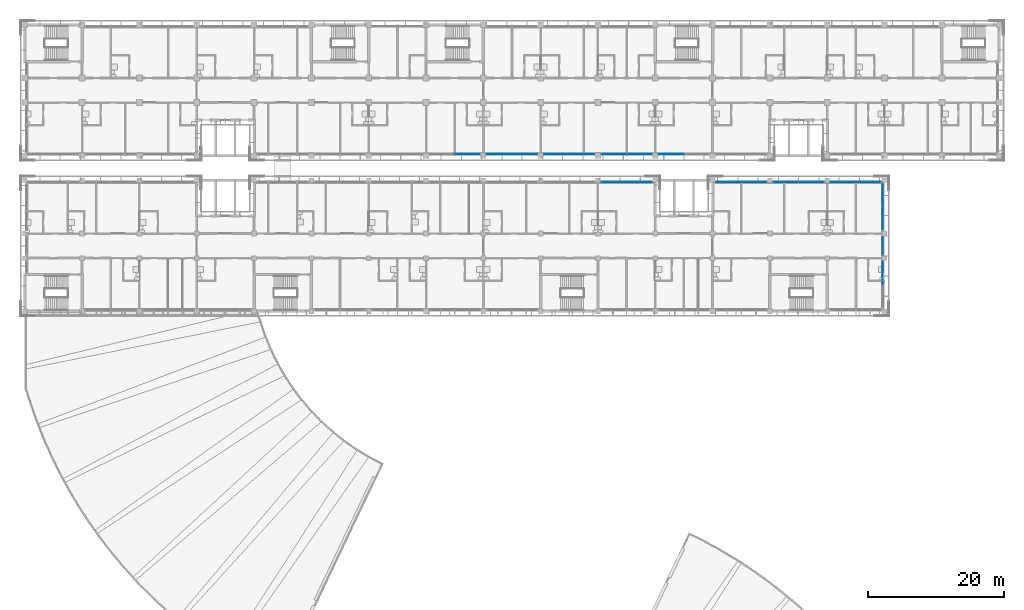
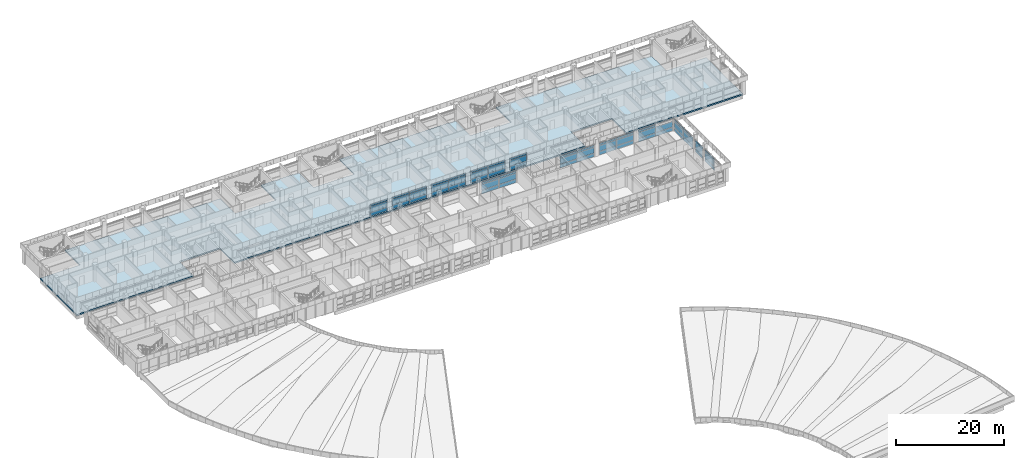
# One storey, part 24 of 74: 59 plates, 1 slab, 12 elements without a shape of their own.
"""IFC4 building model written with IfcOpenShell, lengths in metres."""

from ifc_helpers import new_model, si_unit, direction, frame, origin, origin_2d, place, context, subcontext, project, spatial, polyline, rectangle, outline, extrude, material, layer, layer_set, type_object, element, aggregate, save


model = new_model("IFC4")

# Units and contexts
model_context = context("Model", 3, precision=1e-05, world=origin(), true_north=direction((0.0, 1.0)))
body_context = subcontext(model_context, "Body", "Model", "MODEL_VIEW")
ifc_project = project(units=[si_unit("LENGTHUNIT", "METRE"), si_unit("AREAUNIT", "SQUARE_METRE"), si_unit("VOLUMEUNIT", "CUBIC_METRE"), si_unit("PLANEANGLEUNIT", "RADIAN"), si_unit("MASSUNIT", "GRAM", prefix="KILO")], contexts=[model_context])

# Site, building, storey
site_placement = place(None, origin())
site = spatial("IfcSite", under=ifc_project, at=site_placement, CompositionType="ELEMENT")
building_placement = place(site_placement, origin())
building = spatial("IfcBuilding", under=site, at=building_placement, Name="Bougainvillea Quay General Hospital", CompositionType="ELEMENT")
storey_placement = place(building_placement, frame((0.0, 0.0, 21.0)))
storey = spatial("IfcBuildingStorey", under=building, at=storey_placement, Name="L04", CompositionType="ELEMENT", Elevation=21.0)

# Curtain wall, plates
ifc_material_1 = material(Name="Aluminium curtain wall system, powder-coated glazed", Category="aluminium")
curtain_wall_type_1 = type_object("IfcCurtainWallType", Name="Unitised curtain wall CW-3730", PredefinedType="NOTDEFINED", material=ifc_material_1)
curtain_wall_1_placement = place(storey_placement, origin())
curtain_wall_1 = element("IfcCurtainWall", 1, at=curtain_wall_1_placement, inside=storey, type_object=curtain_wall_type_1, Name="CW-4200 03", PredefinedType="NOTDEFINED")
ifc_material_2 = material(Name="Insulated aluminium spandrel panel, white", Category="aluminium")
ifc_layer_1 = layer(ifc_material_2, 0.028076171875)
ifc_layer_set_1 = layer_set([ifc_layer_1], Name="Insulated aluminium spandrel panel, white")
plate_type_1 = type_object("IfcPlateType", Name="Insulated spandrel panel white 28", PredefinedType="CURTAIN_PANEL", material=ifc_layer_set_1)
plate_1_placement = place(storey_placement, frame((106.85009765625, 140.64990234375, 0.06005859375), z_axis=(0.0, 0.0, 1.0), x_axis=(1.0, 0.0, 0.0)))
plate_1 = element("IfcPlate", 2, at=plate_1_placement, type_object=plate_type_1, Name="CW-4200 spandrel panel 2.1", PredefinedType="CURTAIN_PANEL", context=body_context, shape_type="SweptSolid", body=[
    extrude(rectangle(XDim=3.639892578125, YDim=0.028076171875, at=origin_2d()), origin(), (0.0, 0.0, 1.0), 0.81005859375),
])
plate_2_placement = place(storey_placement, frame((106.85009765625, 140.64990234375, 2.2802734375), z_axis=(0.0, 0.0, 1.0), x_axis=(1.0, 0.0, 0.0)))
plate_2 = element("IfcPlate", 3, at=plate_2_placement, type_object=plate_type_1, Name="CW-4200 spandrel panel 2.3", PredefinedType="CURTAIN_PANEL", context=body_context, shape_type="SweptSolid", body=[
    extrude(rectangle(XDim=3.639892578125, YDim=0.028076171875, at=origin_2d()), origin(), (0.0, 0.0, 1.0), 0.409912109375),
])

curtain_wall_2_placement = place(storey_placement, origin())
curtain_wall_2 = element("IfcCurtainWall", 4, at=curtain_wall_2_placement, inside=storey, type_object=curtain_wall_type_1, Name="CW-4200 04", PredefinedType="NOTDEFINED")
plate_3_placement = place(storey_placement, frame((111.550048828125, 140.64990234375, 0.06005859375), z_axis=(0.0, 0.0, 1.0), x_axis=(1.0, 0.0, 0.0)))
plate_3 = element("IfcPlate", 5, at=plate_3_placement, type_object=plate_type_1, Name="CW-4200 spandrel panel 1.1", PredefinedType="CURTAIN_PANEL", context=body_context, shape_type="SweptSolid", body=[
    extrude(rectangle(XDim=3.639892578125, YDim=0.028076171875, at=origin_2d()), origin(), (0.0, 0.0, 1.0), 0.81005859375),
])
plate_4_placement = place(storey_placement, frame((111.550048828125, 140.64990234375, 2.2802734375), z_axis=(0.0, 0.0, 1.0), x_axis=(1.0, 0.0, 0.0)))
plate_4 = element("IfcPlate", 6, at=plate_4_placement, type_object=plate_type_1, Name="CW-4200 spandrel panel 1.3", PredefinedType="CURTAIN_PANEL", context=body_context, shape_type="SweptSolid", body=[
    extrude(rectangle(XDim=3.639892578125, YDim=0.028076171875, at=origin_2d()), origin(), (0.0, 0.0, 1.0), 0.409912109375),
])
plate_5_placement = place(storey_placement, frame((115.25, 140.64990234375, 0.06005859375), z_axis=(0.0, 0.0, 1.0), x_axis=(1.0, 0.0, 0.0)))
plate_5 = element("IfcPlate", 7, at=plate_5_placement, type_object=plate_type_1, Name="CW-4200 spandrel panel 2.1", PredefinedType="CURTAIN_PANEL", context=body_context, shape_type="SweptSolid", body=[
    extrude(rectangle(XDim=3.639892578125, YDim=0.028076171875, at=origin_2d()), origin(), (0.0, 0.0, 1.0), 0.81005859375),
])
plate_6_placement = place(storey_placement, frame((115.25, 140.64990234375, 2.2802734375), z_axis=(0.0, 0.0, 1.0), x_axis=(1.0, 0.0, 0.0)))
plate_6 = element("IfcPlate", 8, at=plate_6_placement, type_object=plate_type_1, Name="CW-4200 spandrel panel 2.3", PredefinedType="CURTAIN_PANEL", context=body_context, shape_type="SweptSolid", body=[
    extrude(rectangle(XDim=3.639892578125, YDim=0.028076171875, at=origin_2d()), origin(), (0.0, 0.0, 1.0), 0.409912109375),
])

curtain_wall_3_placement = place(storey_placement, origin())
curtain_wall_3 = element("IfcCurtainWall", 9, at=curtain_wall_3_placement, inside=storey, type_object=curtain_wall_type_1, Name="CW-4200 05", PredefinedType="NOTDEFINED")
plate_7_placement = place(storey_placement, frame((119.949951171875, 140.64990234375, 0.06005859375), z_axis=(0.0, 0.0, 1.0), x_axis=(1.0, 0.0, 0.0)))
plate_7 = element("IfcPlate", 10, at=plate_7_placement, type_object=plate_type_1, Name="CW-4200 spandrel panel 1.1", PredefinedType="CURTAIN_PANEL", context=body_context, shape_type="SweptSolid", body=[
    extrude(rectangle(XDim=3.639892578125, YDim=0.028076171875, at=origin_2d()), origin(), (0.0, 0.0, 1.0), 0.81005859375),
])
plate_8_placement = place(storey_placement, frame((119.949951171875, 140.64990234375, 2.2802734375), z_axis=(0.0, 0.0, 1.0), x_axis=(1.0, 0.0, 0.0)))
plate_8 = element("IfcPlate", 11, at=plate_8_placement, type_object=plate_type_1, Name="CW-4200 spandrel panel 1.3", PredefinedType="CURTAIN_PANEL", context=body_context, shape_type="SweptSolid", body=[
    extrude(rectangle(XDim=3.639892578125, YDim=0.028076171875, at=origin_2d()), origin(), (0.0, 0.0, 1.0), 0.409912109375),
])
plate_9_placement = place(storey_placement, frame((123.64990234375, 140.64990234375, 0.06005859375), z_axis=(0.0, 0.0, 1.0), x_axis=(1.0, 0.0, 0.0)))
plate_9 = element("IfcPlate", 12, at=plate_9_placement, type_object=plate_type_1, Name="CW-4200 spandrel panel 2.1", PredefinedType="CURTAIN_PANEL", context=body_context, shape_type="SweptSolid", body=[
    extrude(rectangle(XDim=3.639892578125, YDim=0.028076171875, at=origin_2d()), origin(), (0.0, 0.0, 1.0), 0.81005859375),
])
plate_10_placement = place(storey_placement, frame((123.64990234375, 140.64990234375, 2.2802734375), z_axis=(0.0, 0.0, 1.0), x_axis=(1.0, 0.0, 0.0)))
plate_10 = element("IfcPlate", 13, at=plate_10_placement, type_object=plate_type_1, Name="CW-4200 spandrel panel 2.3", PredefinedType="CURTAIN_PANEL", context=body_context, shape_type="SweptSolid", body=[
    extrude(rectangle(XDim=3.639892578125, YDim=0.028076171875, at=origin_2d()), origin(), (0.0, 0.0, 1.0), 0.409912109375),
])

curtain_wall_4_placement = place(storey_placement, origin())
curtain_wall_4 = element("IfcCurtainWall", 14, at=curtain_wall_4_placement, inside=storey, type_object=curtain_wall_type_1, Name="CW-4200 06", PredefinedType="NOTDEFINED")
plate_11_placement = place(storey_placement, frame((128.35009765625, 140.64990234375, 0.06005859375), z_axis=(0.0, 0.0, 1.0), x_axis=(1.0, 0.0, 0.0)))
plate_11 = element("IfcPlate", 15, at=plate_11_placement, type_object=plate_type_1, Name="CW-4200 spandrel panel 1.1", PredefinedType="CURTAIN_PANEL", context=body_context, shape_type="SweptSolid", body=[
    extrude(rectangle(XDim=3.639892578125, YDim=0.028076171875, at=origin_2d()), origin(), (0.0, 0.0, 1.0), 0.81005859375),
])
plate_12_placement = place(storey_placement, frame((128.35009765625, 140.64990234375, 2.2802734375), z_axis=(0.0, 0.0, 1.0), x_axis=(1.0, 0.0, 0.0)))
plate_12 = element("IfcPlate", 16, at=plate_12_placement, type_object=plate_type_1, Name="CW-4200 spandrel panel 1.3", PredefinedType="CURTAIN_PANEL", context=body_context, shape_type="SweptSolid", body=[
    extrude(rectangle(XDim=3.639892578125, YDim=0.028076171875, at=origin_2d()), origin(), (0.0, 0.0, 1.0), 0.409912109375),
])
plate_13_placement = place(storey_placement, frame((132.050048828125, 140.64990234375, 0.06005859375), z_axis=(0.0, 0.0, 1.0), x_axis=(1.0, 0.0, 0.0)))
plate_13 = element("IfcPlate", 17, at=plate_13_placement, type_object=plate_type_1, Name="CW-4200 spandrel panel 2.1", PredefinedType="CURTAIN_PANEL", context=body_context, shape_type="SweptSolid", body=[
    extrude(rectangle(XDim=3.639892578125, YDim=0.028076171875, at=origin_2d()), origin(), (0.0, 0.0, 1.0), 0.81005859375),
])
plate_14_placement = place(storey_placement, frame((132.050048828125, 140.64990234375, 2.2802734375), z_axis=(0.0, 0.0, 1.0), x_axis=(1.0, 0.0, 0.0)))
plate_14 = element("IfcPlate", 18, at=plate_14_placement, type_object=plate_type_1, Name="CW-4200 spandrel panel 2.3", PredefinedType="CURTAIN_PANEL", context=body_context, shape_type="SweptSolid", body=[
    extrude(rectangle(XDim=3.639892578125, YDim=0.028076171875, at=origin_2d()), origin(), (0.0, 0.0, 1.0), 0.409912109375),
])

curtain_wall_5_placement = place(storey_placement, origin())
curtain_wall_5 = element("IfcCurtainWall", 19, at=curtain_wall_5_placement, inside=storey, type_object=curtain_wall_type_1, Name="CW-4200 07", PredefinedType="NOTDEFINED")
plate_15_placement = place(storey_placement, frame((136.75, 140.64990234375, 0.06005859375), z_axis=(0.0, 0.0, 1.0), x_axis=(1.0, 0.0, 0.0)))
plate_15 = element("IfcPlate", 20, at=plate_15_placement, type_object=plate_type_1, Name="CW-4200 spandrel panel 1.1", PredefinedType="CURTAIN_PANEL", context=body_context, shape_type="SweptSolid", body=[
    extrude(rectangle(XDim=3.639892578125, YDim=0.028076171875, at=origin_2d()), origin(), (0.0, 0.0, 1.0), 0.81005859375),
])
plate_16_placement = place(storey_placement, frame((136.75, 140.64990234375, 2.2802734375), z_axis=(0.0, 0.0, 1.0), x_axis=(1.0, 0.0, 0.0)))
plate_16 = element("IfcPlate", 21, at=plate_16_placement, type_object=plate_type_1, Name="CW-4200 spandrel panel 1.3", PredefinedType="CURTAIN_PANEL", context=body_context, shape_type="SweptSolid", body=[
    extrude(rectangle(XDim=3.639892578125, YDim=0.028076171875, at=origin_2d()), origin(), (0.0, 0.0, 1.0), 0.409912109375),
])

curtain_wall_type_2 = type_object("IfcCurtainWallType", Name="Unitised curtain wall CW-3430", PredefinedType="NOTDEFINED", material=ifc_material_1)
curtain_wall_6_placement = place(storey_placement, origin())
curtain_wall_6 = element("IfcCurtainWall", 22, at=curtain_wall_6_placement, inside=storey, type_object=curtain_wall_type_2, Name="CW-4200 00", PredefinedType="NOTDEFINED")
plate_17_placement = place(storey_placement, frame((167.75, 123.199951171875, 0.06005859375), z_axis=(0.0, 0.0, 1.0), x_axis=(0.0, 1.0, 0.0)))
plate_17 = element("IfcPlate", 23, at=plate_17_placement, type_object=plate_type_1, Name="CW-4200 spandrel panel 2.1", PredefinedType="CURTAIN_PANEL", context=body_context, shape_type="SweptSolid", body=[
    extrude(rectangle(XDim=3.340087890625, YDim=0.028076171875, at=origin_2d()), origin(), (0.0, 0.0, 1.0), 0.81005859375),
])
plate_18_placement = place(storey_placement, frame((167.75, 123.199951171875, 2.2802734375), z_axis=(0.0, 0.0, 1.0), x_axis=(0.0, 1.0, 0.0)))
plate_18 = element("IfcPlate", 24, at=plate_18_placement, type_object=plate_type_1, Name="CW-4200 spandrel panel 2.3", PredefinedType="CURTAIN_PANEL", context=body_context, shape_type="SweptSolid", body=[
    extrude(rectangle(XDim=3.340087890625, YDim=0.028076171875, at=origin_2d()), origin(), (0.0, 0.0, 1.0), 0.409912109375),
])

curtain_wall_type_3 = type_object("IfcCurtainWallType", Name="Unitised curtain wall CW-2660", PredefinedType="NOTDEFINED", material=ifc_material_1)
curtain_wall_7_placement = place(storey_placement, origin())
curtain_wall_7 = element("IfcCurtainWall", 25, at=curtain_wall_7_placement, inside=storey, type_object=curtain_wall_type_3, Name="CW-4200 01", PredefinedType="NOTDEFINED")
plate_19_placement = place(storey_placement, frame((167.75, 127.199951171875, 0.06005859375), z_axis=(0.0, 0.0, 1.0), x_axis=(0.0, 1.0, 0.0)))
plate_19 = element("IfcPlate", 26, at=plate_19_placement, type_object=plate_type_1, Name="CW-4200 spandrel panel 1.1", PredefinedType="CURTAIN_PANEL", context=body_context, shape_type="SweptSolid", body=[
    extrude(rectangle(XDim=2.5400390625, YDim=0.028076171875, at=origin_2d()), origin(), (0.0, 0.0, 1.0), 0.81005859375),
])
plate_20_placement = place(storey_placement, frame((167.75, 127.199951171875, 2.2802734375), z_axis=(0.0, 0.0, 1.0), x_axis=(0.0, 1.0, 0.0)))
plate_20 = element("IfcPlate", 27, at=plate_20_placement, type_object=plate_type_1, Name="CW-4200 spandrel panel 1.3", PredefinedType="CURTAIN_PANEL", context=body_context, shape_type="SweptSolid", body=[
    extrude(rectangle(XDim=2.5400390625, YDim=0.028076171875, at=origin_2d()), origin(), (0.0, 0.0, 1.0), 0.409912109375),
])

curtain_wall_8_placement = place(storey_placement, origin())
curtain_wall_8 = element("IfcCurtainWall", 28, at=curtain_wall_8_placement, inside=storey, type_object=curtain_wall_type_2, Name="CW-4200 02", PredefinedType="NOTDEFINED")
plate_21_placement = place(storey_placement, frame((167.75, 131.199951171875, 0.06005859375), z_axis=(0.0, 0.0, 1.0), x_axis=(0.0, 1.0, 0.0)))
plate_21 = element("IfcPlate", 29, at=plate_21_placement, type_object=plate_type_1, Name="CW-4200 spandrel panel 1.1", PredefinedType="CURTAIN_PANEL", context=body_context, shape_type="SweptSolid", body=[
    extrude(rectangle(XDim=3.340087890625, YDim=0.028076171875, at=origin_2d()), origin(), (0.0, 0.0, 1.0), 0.81005859375),
])
plate_22_placement = place(storey_placement, frame((167.75, 131.199951171875, 2.2802734375), z_axis=(0.0, 0.0, 1.0), x_axis=(0.0, 1.0, 0.0)))
plate_22 = element("IfcPlate", 30, at=plate_22_placement, type_object=plate_type_1, Name="CW-4200 spandrel panel 1.3", PredefinedType="CURTAIN_PANEL", context=body_context, shape_type="SweptSolid", body=[
    extrude(rectangle(XDim=3.340087890625, YDim=0.028076171875, at=origin_2d()), origin(), (0.0, 0.0, 1.0), 0.409912109375),
])
plate_23_placement = place(storey_placement, frame((167.75, 134.60009765625, 0.06005859375), z_axis=(0.0, 0.0, 1.0), x_axis=(0.0, 1.0, 0.0)))
plate_23 = element("IfcPlate", 31, at=plate_23_placement, type_object=plate_type_1, Name="CW-4200 spandrel panel 2.1", PredefinedType="CURTAIN_PANEL", context=body_context, shape_type="SweptSolid", body=[
    extrude(rectangle(XDim=3.340087890625, YDim=0.028076171875, at=origin_2d()), origin(), (0.0, 0.0, 1.0), 0.81005859375),
])
plate_24_placement = place(storey_placement, frame((167.75, 134.60009765625, 2.2802734375), z_axis=(0.0, 0.0, 1.0), x_axis=(0.0, 1.0, 0.0)))
plate_24 = element("IfcPlate", 32, at=plate_24_placement, type_object=plate_type_1, Name="CW-4200 spandrel panel 2.3", PredefinedType="CURTAIN_PANEL", context=body_context, shape_type="SweptSolid", body=[
    extrude(rectangle(XDim=3.340087890625, YDim=0.028076171875, at=origin_2d()), origin(), (0.0, 0.0, 1.0), 0.409912109375),
])

curtain_wall_9_placement = place(storey_placement, origin())
curtain_wall_9 = element("IfcCurtainWall", 33, at=curtain_wall_9_placement, inside=storey, type_object=curtain_wall_type_1, Name="CW-4200 00", PredefinedType="NOTDEFINED")
plate_25_placement = place(storey_placement, frame((165.64990234375, 136.550048828125, 0.06005859375), z_axis=(0.0, 0.0, 1.0), x_axis=(-1.0, 0.0, 0.0)))
plate_25 = element("IfcPlate", 34, at=plate_25_placement, type_object=plate_type_1, Name="CW-4200 spandrel panel 1.1", PredefinedType="CURTAIN_PANEL", context=body_context, shape_type="SweptSolid", body=[
    extrude(rectangle(XDim=3.639892578125, YDim=0.028076171875, at=origin_2d()), origin(), (0.0, 0.0, 1.0), 0.81005859375),
])
plate_26_placement = place(storey_placement, frame((161.949951171875, 136.550048828125, 0.06005859375), z_axis=(0.0, 0.0, 1.0), x_axis=(-1.0, 0.0, 0.0)))
plate_26 = element("IfcPlate", 35, at=plate_26_placement, type_object=plate_type_1, Name="CW-4200 spandrel panel 2.1", PredefinedType="CURTAIN_PANEL", context=body_context, shape_type="SweptSolid", body=[
    extrude(rectangle(XDim=3.639892578125, YDim=0.028076171875, at=origin_2d()), origin(), (0.0, 0.0, 1.0), 0.81005859375),
])
plate_27_placement = place(storey_placement, frame((161.949951171875, 136.550048828125, 2.2802734375), z_axis=(0.0, 0.0, 1.0), x_axis=(-1.0, 0.0, 0.0)))
plate_27 = element("IfcPlate", 36, at=plate_27_placement, type_object=plate_type_1, Name="CW-4200 spandrel panel 2.3", PredefinedType="CURTAIN_PANEL", context=body_context, shape_type="SweptSolid", body=[
    extrude(rectangle(XDim=3.639892578125, YDim=0.028076171875, at=origin_2d()), origin(), (0.0, 0.0, 1.0), 0.409912109375),
])

curtain_wall_10_placement = place(storey_placement, origin())
curtain_wall_10 = element("IfcCurtainWall", 37, at=curtain_wall_10_placement, inside=storey, type_object=curtain_wall_type_1, Name="CW-4200 01", PredefinedType="NOTDEFINED")
plate_28_placement = place(storey_placement, frame((157.25, 136.550048828125, 0.06005859375), z_axis=(0.0, 0.0, 1.0), x_axis=(-1.0, 0.0, 0.0)))
plate_28 = element("IfcPlate", 38, at=plate_28_placement, type_object=plate_type_1, Name="CW-4200 spandrel panel 1.1", PredefinedType="CURTAIN_PANEL", context=body_context, shape_type="SweptSolid", body=[
    extrude(rectangle(XDim=3.639892578125, YDim=0.028076171875, at=origin_2d()), origin(), (0.0, 0.0, 1.0), 0.81005859375),
])
plate_29_placement = place(storey_placement, frame((157.25, 136.550048828125, 2.2802734375), z_axis=(0.0, 0.0, 1.0), x_axis=(-1.0, 0.0, 0.0)))
plate_29 = element("IfcPlate", 39, at=plate_29_placement, type_object=plate_type_1, Name="CW-4200 spandrel panel 1.3", PredefinedType="CURTAIN_PANEL", context=body_context, shape_type="SweptSolid", body=[
    extrude(rectangle(XDim=3.639892578125, YDim=0.028076171875, at=origin_2d()), origin(), (0.0, 0.0, 1.0), 0.409912109375),
])
plate_30_placement = place(storey_placement, frame((153.550048828125, 136.550048828125, 0.06005859375), z_axis=(0.0, 0.0, 1.0), x_axis=(-1.0, 0.0, 0.0)))
plate_30 = element("IfcPlate", 40, at=plate_30_placement, type_object=plate_type_1, Name="CW-4200 spandrel panel 2.1", PredefinedType="CURTAIN_PANEL", context=body_context, shape_type="SweptSolid", body=[
    extrude(rectangle(XDim=3.639892578125, YDim=0.028076171875, at=origin_2d()), origin(), (0.0, 0.0, 1.0), 0.81005859375),
])
plate_31_placement = place(storey_placement, frame((153.550048828125, 136.550048828125, 2.2802734375), z_axis=(0.0, 0.0, 1.0), x_axis=(-1.0, 0.0, 0.0)))
plate_31 = element("IfcPlate", 41, at=plate_31_placement, type_object=plate_type_1, Name="CW-4200 spandrel panel 2.3", PredefinedType="CURTAIN_PANEL", context=body_context, shape_type="SweptSolid", body=[
    extrude(rectangle(XDim=3.639892578125, YDim=0.028076171875, at=origin_2d()), origin(), (0.0, 0.0, 1.0), 0.409912109375),
])

curtain_wall_11_placement = place(storey_placement, origin())
curtain_wall_11 = element("IfcCurtainWall", 42, at=curtain_wall_11_placement, inside=storey, type_object=curtain_wall_type_1, Name="CW-4200 02", PredefinedType="NOTDEFINED")
plate_32_placement = place(storey_placement, frame((148.85009765625, 136.550048828125, 0.06005859375), z_axis=(0.0, 0.0, 1.0), x_axis=(-1.0, 0.0, 0.0)))
plate_32 = element("IfcPlate", 43, at=plate_32_placement, type_object=plate_type_1, Name="CW-4200 spandrel panel 1.1", PredefinedType="CURTAIN_PANEL", context=body_context, shape_type="SweptSolid", body=[
    extrude(rectangle(XDim=3.639892578125, YDim=0.028076171875, at=origin_2d()), origin(), (0.0, 0.0, 1.0), 0.81005859375),
])
plate_33_placement = place(storey_placement, frame((148.85009765625, 136.550048828125, 2.2802734375), z_axis=(0.0, 0.0, 1.0), x_axis=(-1.0, 0.0, 0.0)))
plate_33 = element("IfcPlate", 44, at=plate_33_placement, type_object=plate_type_1, Name="CW-4200 spandrel panel 1.3", PredefinedType="CURTAIN_PANEL", context=body_context, shape_type="SweptSolid", body=[
    extrude(rectangle(XDim=3.639892578125, YDim=0.028076171875, at=origin_2d()), origin(), (0.0, 0.0, 1.0), 0.409912109375),
])
plate_34_placement = place(storey_placement, frame((145.14990234375, 136.550048828125, 0.06005859375), z_axis=(0.0, 0.0, 1.0), x_axis=(-1.0, 0.0, 0.0)))
plate_34 = element("IfcPlate", 45, at=plate_34_placement, type_object=plate_type_1, Name="CW-4200 spandrel panel 2.1", PredefinedType="CURTAIN_PANEL", context=body_context, shape_type="SweptSolid", body=[
    extrude(rectangle(XDim=3.639892578125, YDim=0.028076171875, at=origin_2d()), origin(), (0.0, 0.0, 1.0), 0.81005859375),
])
plate_35_placement = place(storey_placement, frame((145.14990234375, 136.550048828125, 2.2802734375), z_axis=(0.0, 0.0, 1.0), x_axis=(-1.0, 0.0, 0.0)))
plate_35 = element("IfcPlate", 46, at=plate_35_placement, type_object=plate_type_1, Name="CW-4200 spandrel panel 2.3", PredefinedType="CURTAIN_PANEL", context=body_context, shape_type="SweptSolid", body=[
    extrude(rectangle(XDim=3.639892578125, YDim=0.028076171875, at=origin_2d()), origin(), (0.0, 0.0, 1.0), 0.409912109375),
])

curtain_wall_12_placement = place(storey_placement, origin())
curtain_wall_12 = element("IfcCurtainWall", 47, at=curtain_wall_12_placement, inside=storey, type_object=curtain_wall_type_1, Name="CW-4200 00", PredefinedType="NOTDEFINED")
plate_36_placement = place(storey_placement, frame((132.050048828125, 136.550048828125, 0.06005859375), z_axis=(0.0, 0.0, 1.0), x_axis=(-1.0, 0.0, 0.0)))
plate_36 = element("IfcPlate", 48, at=plate_36_placement, type_object=plate_type_1, Name="CW-4200 spandrel panel 1.1", PredefinedType="CURTAIN_PANEL", context=body_context, shape_type="SweptSolid", body=[
    extrude(rectangle(XDim=3.639892578125, YDim=0.028076171875, at=origin_2d()), origin(), (0.0, 0.0, 1.0), 0.81005859375),
])
plate_37_placement = place(storey_placement, frame((132.050048828125, 136.550048828125, 2.2802734375), z_axis=(0.0, 0.0, 1.0), x_axis=(-1.0, 0.0, 0.0)))
plate_37 = element("IfcPlate", 49, at=plate_37_placement, type_object=plate_type_1, Name="CW-4200 spandrel panel 1.3", PredefinedType="CURTAIN_PANEL", context=body_context, shape_type="SweptSolid", body=[
    extrude(rectangle(XDim=3.639892578125, YDim=0.028076171875, at=origin_2d()), origin(), (0.0, 0.0, 1.0), 0.409912109375),
])
plate_38_placement = place(storey_placement, frame((128.35009765625, 136.550048828125, 0.06005859375), z_axis=(0.0, 0.0, 1.0), x_axis=(-1.0, 0.0, 0.0)))
plate_38 = element("IfcPlate", 50, at=plate_38_placement, type_object=plate_type_1, Name="CW-4200 spandrel panel 2.1", PredefinedType="CURTAIN_PANEL", context=body_context, shape_type="SweptSolid", body=[
    extrude(rectangle(XDim=3.639892578125, YDim=0.028076171875, at=origin_2d()), origin(), (0.0, 0.0, 1.0), 0.81005859375),
])
plate_39_placement = place(storey_placement, frame((128.35009765625, 136.550048828125, 2.2802734375), z_axis=(0.0, 0.0, 1.0), x_axis=(-1.0, 0.0, 0.0)))
plate_39 = element("IfcPlate", 51, at=plate_39_placement, type_object=plate_type_1, Name="CW-4200 spandrel panel 2.3", PredefinedType="CURTAIN_PANEL", context=body_context, shape_type="SweptSolid", body=[
    extrude(rectangle(XDim=3.639892578125, YDim=0.028076171875, at=origin_2d()), origin(), (0.0, 0.0, 1.0), 0.409912109375),
])

# Plate
ifc_material_3 = material(Name="Low-e laminated glass, solar control", Category="glass")
ifc_layer_2 = layer(ifc_material_3, 0.028076171875)
ifc_layer_set_2 = layer_set([ifc_layer_2], Name="Low-e laminated glass, solar control")
plate_type_2 = type_object("IfcPlateType", Name="Low-e laminated vision glass 28", PredefinedType="CURTAIN_PANEL", material=ifc_layer_set_2)
plate_40_placement = place(storey_placement, frame((106.85009765625, 140.64990234375, 0.929931640625), z_axis=(0.0, 0.0, 1.0), x_axis=(1.0, 0.0, 0.0)))
plate_40 = element("IfcPlate", 52, at=plate_40_placement, type_object=plate_type_2, Name="CW-4200 vision glass panel 2.2", PredefinedType="CURTAIN_PANEL", context=body_context, shape_type="SweptSolid", body=[
    extrude(rectangle(XDim=3.639892578125, YDim=0.028076171875, at=origin_2d()), origin(), (0.0, 0.0, 1.0), 1.2900390625),
])

aggregate(curtain_wall_1, [plate_1, plate_40, plate_2])

plate_41_placement = place(storey_placement, frame((111.550048828125, 140.64990234375, 0.929931640625), z_axis=(0.0, 0.0, 1.0), x_axis=(1.0, 0.0, 0.0)))
plate_41 = element("IfcPlate", 53, at=plate_41_placement, type_object=plate_type_2, Name="CW-4200 vision glass panel 1.2", PredefinedType="CURTAIN_PANEL", context=body_context, shape_type="SweptSolid", body=[
    extrude(rectangle(XDim=3.639892578125, YDim=0.028076171875, at=origin_2d()), origin(), (0.0, 0.0, 1.0), 1.2900390625),
])

plate_42_placement = place(storey_placement, frame((115.25, 140.64990234375, 0.929931640625), z_axis=(0.0, 0.0, 1.0), x_axis=(1.0, 0.0, 0.0)))
plate_42 = element("IfcPlate", 54, at=plate_42_placement, type_object=plate_type_2, Name="CW-4200 vision glass panel 2.2", PredefinedType="CURTAIN_PANEL", context=body_context, shape_type="SweptSolid", body=[
    extrude(rectangle(XDim=3.639892578125, YDim=0.028076171875, at=origin_2d()), origin(), (0.0, 0.0, 1.0), 1.2900390625),
])

aggregate(curtain_wall_2, [plate_3, plate_41, plate_4, plate_5, plate_42, plate_6])

plate_43_placement = place(storey_placement, frame((119.949951171875, 140.64990234375, 0.929931640625), z_axis=(0.0, 0.0, 1.0), x_axis=(1.0, 0.0, 0.0)))
plate_43 = element("IfcPlate", 55, at=plate_43_placement, type_object=plate_type_2, Name="CW-4200 vision glass panel 1.2", PredefinedType="CURTAIN_PANEL", context=body_context, shape_type="SweptSolid", body=[
    extrude(rectangle(XDim=3.639892578125, YDim=0.028076171875, at=origin_2d()), origin(), (0.0, 0.0, 1.0), 1.2900390625),
])

plate_44_placement = place(storey_placement, frame((123.64990234375, 140.64990234375, 0.929931640625), z_axis=(0.0, 0.0, 1.0), x_axis=(1.0, 0.0, 0.0)))
plate_44 = element("IfcPlate", 56, at=plate_44_placement, type_object=plate_type_2, Name="CW-4200 vision glass panel 2.2", PredefinedType="CURTAIN_PANEL", context=body_context, shape_type="SweptSolid", body=[
    extrude(rectangle(XDim=3.639892578125, YDim=0.028076171875, at=origin_2d()), origin(), (0.0, 0.0, 1.0), 1.2900390625),
])

aggregate(curtain_wall_3, [plate_7, plate_43, plate_8, plate_9, plate_44, plate_10])

plate_45_placement = place(storey_placement, frame((128.35009765625, 140.64990234375, 0.929931640625), z_axis=(0.0, 0.0, 1.0), x_axis=(1.0, 0.0, 0.0)))
plate_45 = element("IfcPlate", 57, at=plate_45_placement, type_object=plate_type_2, Name="CW-4200 vision glass panel 1.2", PredefinedType="CURTAIN_PANEL", context=body_context, shape_type="SweptSolid", body=[
    extrude(rectangle(XDim=3.639892578125, YDim=0.028076171875, at=origin_2d()), origin(), (0.0, 0.0, 1.0), 1.2900390625),
])

plate_46_placement = place(storey_placement, frame((132.050048828125, 140.64990234375, 0.929931640625), z_axis=(0.0, 0.0, 1.0), x_axis=(1.0, 0.0, 0.0)))
plate_46 = element("IfcPlate", 58, at=plate_46_placement, type_object=plate_type_2, Name="CW-4200 vision glass panel 2.2", PredefinedType="CURTAIN_PANEL", context=body_context, shape_type="SweptSolid", body=[
    extrude(rectangle(XDim=3.639892578125, YDim=0.028076171875, at=origin_2d()), origin(), (0.0, 0.0, 1.0), 1.2900390625),
])

aggregate(curtain_wall_4, [plate_11, plate_45, plate_12, plate_13, plate_46, plate_14])

plate_47_placement = place(storey_placement, frame((136.75, 140.64990234375, 0.929931640625), z_axis=(0.0, 0.0, 1.0), x_axis=(1.0, 0.0, 0.0)))
plate_47 = element("IfcPlate", 59, at=plate_47_placement, type_object=plate_type_2, Name="CW-4200 vision glass panel 1.2", PredefinedType="CURTAIN_PANEL", context=body_context, shape_type="SweptSolid", body=[
    extrude(rectangle(XDim=3.639892578125, YDim=0.028076171875, at=origin_2d()), origin(), (0.0, 0.0, 1.0), 1.2900390625),
])

aggregate(curtain_wall_5, [plate_15, plate_47, plate_16])

plate_48_placement = place(storey_placement, frame((167.75, 123.199951171875, 0.929931640625), z_axis=(0.0, 0.0, 1.0), x_axis=(0.0, 1.0, 0.0)))
plate_48 = element("IfcPlate", 60, at=plate_48_placement, type_object=plate_type_2, Name="CW-4200 vision glass panel 2.2", PredefinedType="CURTAIN_PANEL", context=body_context, shape_type="SweptSolid", body=[
    extrude(rectangle(XDim=3.340087890625, YDim=0.028076171875, at=origin_2d()), origin(), (0.0, 0.0, 1.0), 1.2900390625),
])

aggregate(curtain_wall_6, [plate_17, plate_48, plate_18])

plate_49_placement = place(storey_placement, frame((167.75, 127.199951171875, 0.929931640625), z_axis=(0.0, 0.0, 1.0), x_axis=(0.0, 1.0, 0.0)))
plate_49 = element("IfcPlate", 61, at=plate_49_placement, type_object=plate_type_2, Name="CW-4200 vision glass panel 1.2", PredefinedType="CURTAIN_PANEL", context=body_context, shape_type="SweptSolid", body=[
    extrude(rectangle(XDim=2.5400390625, YDim=0.028076171875, at=origin_2d()), origin(), (0.0, 0.0, 1.0), 1.2900390625),
])

aggregate(curtain_wall_7, [plate_19, plate_49, plate_20])

plate_50_placement = place(storey_placement, frame((167.75, 131.199951171875, 0.929931640625), z_axis=(0.0, 0.0, 1.0), x_axis=(0.0, 1.0, 0.0)))
plate_50 = element("IfcPlate", 62, at=plate_50_placement, type_object=plate_type_2, Name="CW-4200 vision glass panel 1.2", PredefinedType="CURTAIN_PANEL", context=body_context, shape_type="SweptSolid", body=[
    extrude(rectangle(XDim=3.340087890625, YDim=0.028076171875, at=origin_2d()), origin(), (0.0, 0.0, 1.0), 1.2900390625),
])

plate_51_placement = place(storey_placement, frame((167.75, 134.60009765625, 0.929931640625), z_axis=(0.0, 0.0, 1.0), x_axis=(0.0, 1.0, 0.0)))
plate_51 = element("IfcPlate", 63, at=plate_51_placement, type_object=plate_type_2, Name="CW-4200 vision glass panel 2.2", PredefinedType="CURTAIN_PANEL", context=body_context, shape_type="SweptSolid", body=[
    extrude(rectangle(XDim=3.340087890625, YDim=0.028076171875, at=origin_2d()), origin(), (0.0, 0.0, 1.0), 1.2900390625),
])

aggregate(curtain_wall_8, [plate_21, plate_50, plate_22, plate_23, plate_51, plate_24])

plate_52_placement = place(storey_placement, frame((165.64990234375, 136.550048828125, 0.929931640625), z_axis=(0.0, 0.0, 1.0), x_axis=(-1.0, 0.0, 0.0)))
plate_52 = element("IfcPlate", 64, at=plate_52_placement, type_object=plate_type_2, Name="CW-4200 vision glass panel 1.2", PredefinedType="CURTAIN_PANEL", context=body_context, shape_type="SweptSolid", body=[
    extrude(rectangle(XDim=3.639892578125, YDim=0.028076171875, at=origin_2d()), origin(), (0.0, 0.0, 1.0), 1.2900390625),
])

plate_53_placement = place(storey_placement, frame((161.949951171875, 136.550048828125, 0.929931640625), z_axis=(0.0, 0.0, 1.0), x_axis=(-1.0, 0.0, 0.0)))
plate_53 = element("IfcPlate", 65, at=plate_53_placement, type_object=plate_type_2, Name="CW-4200 vision glass panel 2.2", PredefinedType="CURTAIN_PANEL", context=body_context, shape_type="SweptSolid", body=[
    extrude(rectangle(XDim=3.639892578125, YDim=0.028076171875, at=origin_2d()), origin(), (0.0, 0.0, 1.0), 1.2900390625),
])

aggregate(curtain_wall_9, [plate_25, plate_52, plate_26, plate_53, plate_27])

plate_54_placement = place(storey_placement, frame((157.25, 136.550048828125, 0.929931640625), z_axis=(0.0, 0.0, 1.0), x_axis=(-1.0, 0.0, 0.0)))
plate_54 = element("IfcPlate", 66, at=plate_54_placement, type_object=plate_type_2, Name="CW-4200 vision glass panel 1.2", PredefinedType="CURTAIN_PANEL", context=body_context, shape_type="SweptSolid", body=[
    extrude(rectangle(XDim=3.639892578125, YDim=0.028076171875, at=origin_2d()), origin(), (0.0, 0.0, 1.0), 1.2900390625),
])

plate_55_placement = place(storey_placement, frame((153.550048828125, 136.550048828125, 0.929931640625), z_axis=(0.0, 0.0, 1.0), x_axis=(-1.0, 0.0, 0.0)))
plate_55 = element("IfcPlate", 67, at=plate_55_placement, type_object=plate_type_2, Name="CW-4200 vision glass panel 2.2", PredefinedType="CURTAIN_PANEL", context=body_context, shape_type="SweptSolid", body=[
    extrude(rectangle(XDim=3.639892578125, YDim=0.028076171875, at=origin_2d()), origin(), (0.0, 0.0, 1.0), 1.2900390625),
])

aggregate(curtain_wall_10, [plate_28, plate_54, plate_29, plate_30, plate_55, plate_31])

plate_56_placement = place(storey_placement, frame((148.85009765625, 136.550048828125, 0.929931640625), z_axis=(0.0, 0.0, 1.0), x_axis=(-1.0, 0.0, 0.0)))
plate_56 = element("IfcPlate", 68, at=plate_56_placement, type_object=plate_type_2, Name="CW-4200 vision glass panel 1.2", PredefinedType="CURTAIN_PANEL", context=body_context, shape_type="SweptSolid", body=[
    extrude(rectangle(XDim=3.639892578125, YDim=0.028076171875, at=origin_2d()), origin(), (0.0, 0.0, 1.0), 1.2900390625),
])

plate_57_placement = place(storey_placement, frame((145.14990234375, 136.550048828125, 0.929931640625), z_axis=(0.0, 0.0, 1.0), x_axis=(-1.0, 0.0, 0.0)))
plate_57 = element("IfcPlate", 69, at=plate_57_placement, type_object=plate_type_2, Name="CW-4200 vision glass panel 2.2", PredefinedType="CURTAIN_PANEL", context=body_context, shape_type="SweptSolid", body=[
    extrude(rectangle(XDim=3.639892578125, YDim=0.028076171875, at=origin_2d()), origin(), (0.0, 0.0, 1.0), 1.2900390625),
])

aggregate(curtain_wall_11, [plate_32, plate_56, plate_33, plate_34, plate_57, plate_35])

plate_58_placement = place(storey_placement, frame((132.050048828125, 136.550048828125, 0.929931640625), z_axis=(0.0, 0.0, 1.0), x_axis=(-1.0, 0.0, 0.0)))
plate_58 = element("IfcPlate", 70, at=plate_58_placement, type_object=plate_type_2, Name="CW-4200 vision glass panel 1.2", PredefinedType="CURTAIN_PANEL", context=body_context, shape_type="SweptSolid", body=[
    extrude(rectangle(XDim=3.639892578125, YDim=0.028076171875, at=origin_2d()), origin(), (0.0, 0.0, 1.0), 1.2900390625),
])

plate_59_placement = place(storey_placement, frame((128.35009765625, 136.550048828125, 0.929931640625), z_axis=(0.0, 0.0, 1.0), x_axis=(-1.0, 0.0, 0.0)))
plate_59 = element("IfcPlate", 71, at=plate_59_placement, type_object=plate_type_2, Name="CW-4200 vision glass panel 2.2", PredefinedType="CURTAIN_PANEL", context=body_context, shape_type="SweptSolid", body=[
    extrude(rectangle(XDim=3.639892578125, YDim=0.028076171875, at=origin_2d()), origin(), (0.0, 0.0, 1.0), 1.2900390625),
])

aggregate(curtain_wall_12, [plate_36, plate_58, plate_37, plate_38, plate_59, plate_39])

# Slab
ifc_material_4 = material(Name="Concrete C35", Category="concrete")
ifc_layer_3 = layer(ifc_material_4, 0.300048828125)
ifc_layer_set_3 = layer_set([ifc_layer_3], Name="Concrete C35")
slab_type = type_object("IfcSlabType", Name="RC FLAT SLAB 300 C35", PredefinedType="FLOOR", material=ifc_layer_set_3)
slab_placement = place(storey_placement, frame((0.0, 0.0, -0.300048828125)))
element("IfcSlab", 72, at=slab_placement, inside=storey, type_object=slab_type, Name="Slab S3 L04", PredefinedType="FLOOR", context=body_context, shape_type="SweptSolid", body=[
    extrude(outline(polyline([(184.800048828125, 140.39990234375), (184.800048828125, 154.02490234375), (184.625, 154.02490234375), (176.574951171875, 154.02490234375), (176.22509765625, 154.02490234375), (176.22509765625, 159.425048828125), (176.22509765625, 159.60009765625), (142.97509765625, 159.60009765625), (142.97509765625, 154.02490234375), (142.625, 154.02490234375), (134.574951171875, 154.02490234375), (134.22509765625, 154.02490234375), (134.22509765625, 159.425048828125), (134.22509765625, 159.60009765625), (109.375, 159.60009765625), (109.375, 154.02490234375), (109.02490234375, 154.02490234375), (100.97509765625, 154.02490234375), (100.625, 154.02490234375), (100.625, 159.425048828125), (100.625, 159.60009765625), (92.574951171875, 159.60009765625), (92.574951171875, 154.02490234375), (92.22509765625, 154.02490234375), (84.175048828125, 154.02490234375), (83.824951171875, 154.02490234375), (83.824951171875, 159.425048828125), (83.824951171875, 159.60009765625), (50.574951171875, 159.60009765625), (50.574951171875, 154.02490234375), (50.22509765625, 154.02490234375), (42.175048828125, 154.02490234375), (42.0, 154.02490234375), (42.0, 140.39990234375), (67.02490234375, 140.39990234375), (67.02490234375, 145.425048828125), (67.02490234375, 145.77490234375), (70.0, 145.77490234375), (72.800048828125, 145.77490234375), (75.425048828125, 145.77490234375), (75.77490234375, 145.77490234375), (75.77490234375, 140.39990234375), (151.02490234375, 140.39990234375), (151.02490234375, 145.425048828125), (151.02490234375, 145.77490234375), (154.0, 145.77490234375), (156.800048828125, 145.77490234375), (159.425048828125, 145.77490234375), (159.77490234375, 145.77490234375), (159.77490234375, 140.39990234375), (184.800048828125, 140.39990234375)])), origin(), (0.0, 0.0, 1.0), 0.300048828125),
])

save(model, "model.ifc")
